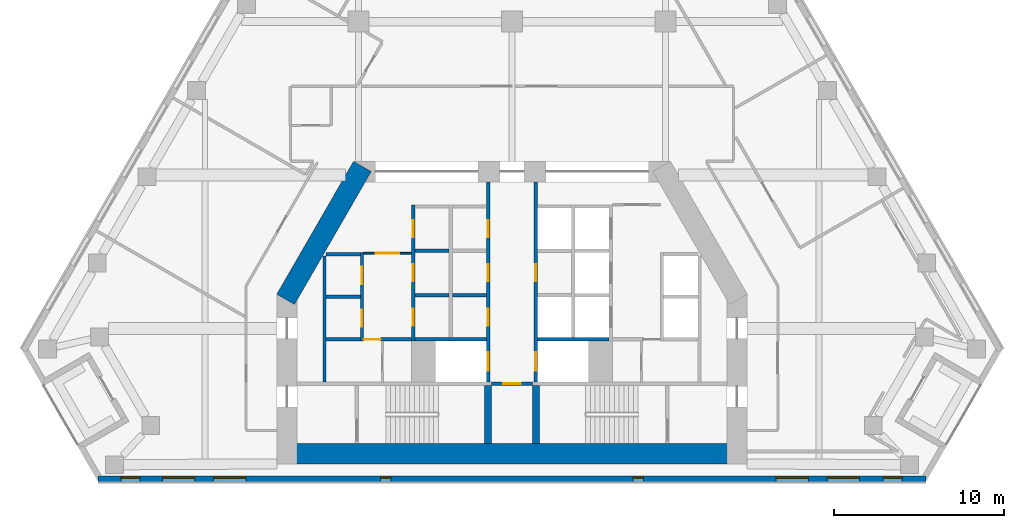
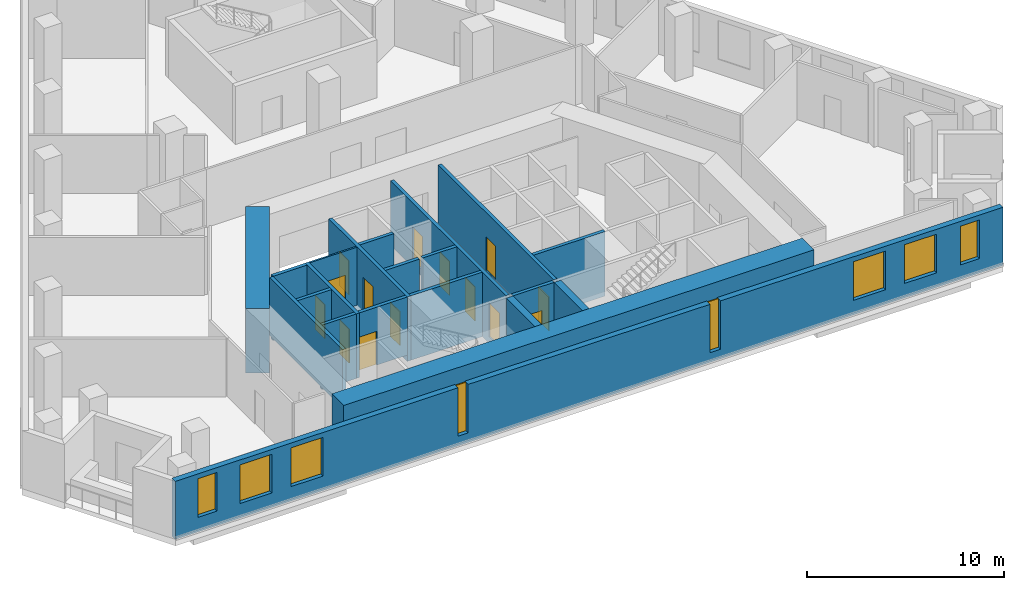
# One storey, part 3 of 8: 21 walls, 14 doors, 8 windows, 22 openings.
"""IFC4 building model written with IfcOpenShell, lengths in metres."""

from ifc_helpers import new_model, si_unit, direction, frame, frame_2d, origin, place, context, subcontext, project, spatial, rectangle, extrude, material, layer, layer_set, type_object, element, fill, save


model = new_model("IFC4")

# Units and contexts
model_context = context("Model", 3, precision=1e-05, world=origin(), true_north=direction((0.0, 1.0)))
body_context = subcontext(model_context, "Body", "Model", "MODEL_VIEW")
ifc_project = project(units=[si_unit("LENGTHUNIT", "METRE"), si_unit("AREAUNIT", "SQUARE_METRE"), si_unit("VOLUMEUNIT", "CUBIC_METRE"), si_unit("PLANEANGLEUNIT", "RADIAN"), si_unit("MASSUNIT", "GRAM", prefix="KILO")], contexts=[model_context])

# Site, building, storey
site_placement = place(None, origin())
site = spatial("IfcSite", under=ifc_project, at=site_placement, CompositionType="ELEMENT")
building_placement = place(site_placement, origin())
building = spatial("IfcBuilding", under=site, at=building_placement, Name="Fogline Exchange Tower", CompositionType="ELEMENT")
storey_placement = place(building_placement, frame((0.0, 0.0, 158.89990234375)))
storey = spatial("IfcBuildingStorey", under=building, at=storey_placement, Name="L35", CompositionType="ELEMENT", Elevation=158.89990234375)

# Wall, opening, door
ifc_material_1 = material(Name="Blockwork partition", Category="masonry")
ifc_layer_1 = layer(ifc_material_1, 0.10009765625)
ifc_layer_set_1 = layer_set([ifc_layer_1], Name="CW10")
wall_type_1 = type_object("IfcWallType", Name="CW10", PredefinedType="PARTITIONING", material=ifc_layer_set_1)
wall_1_placement = place(storey_placement, frame((-8.699951171875, 13.39990234375, 0.0), z_axis=(0.0, 0.0, 1.0), x_axis=(1.0, 0.0, 0.0)))
wall_1 = element("IfcWall", 1, at=wall_1_placement, inside=storey, type_object=wall_type_1, Name="Lift lobby partition", PredefinedType="PARTITIONING", context=body_context, shape_type="SweptSolid", body=[
    extrude(rectangle(XDim=2.800048828125, YDim=0.10009765625, at=frame_2d((1.39990234375, 0.0))), origin(), (0.0, 0.0, 1.0), 3.60009765625),
])
opening_1_placement = place(wall_1_placement, frame((0.699951171875, 0.0, 0.0)))
opening_1 = element("IfcOpeningElement", 2, at=opening_1_placement, cuts=wall_1, Name="Opening T11-C011", PredefinedType="OPENING", context=body_context, shape_type="SweptSolid", body=[
    extrude(rectangle(XDim=1.39990234375, YDim=2.10009765625, at=frame_2d((0.699951171875, 1.050048828125))), frame((0.0, 0.06005859375, 0.0), z_axis=(0.0, -1.0, 0.0), x_axis=(1.0, 0.0, 0.0)), (0.0, 0.0, 1.0), 0.1201171875),
])
ifc_material_2 = material(Name="Steel and timber fire door", Category="steel")
door_type_1 = type_object("IfcDoorType", Name="D-LB1", OperationType="DOUBLE_DOOR_SINGLE_SWING", PredefinedType="DOOR", material=ifc_material_2)
door_1_placement = place(opening_1_placement, frame((1.39990234375, 0.0, 0.0), z_axis=(0.0, 0.0, 1.0), x_axis=(-1.0, 0.0, 0.0)))
door_1 = element("IfcDoor", 3, at=door_1_placement, inside=storey, type_object=door_type_1, Name="Door to lift lobby", OperationType="DOUBLE_DOOR_SINGLE_SWING", OverallHeight=2.10009765625, OverallWidth=1.39990234375, PredefinedType="DOOR", context=body_context, shape_type="SweptSolid", body=[
    extrude(rectangle(XDim=1.39990234375, YDim=2.10009765625, at=frame_2d((0.699951171875, 1.050048828125))), frame((0.0, 0.02490234375, 0.0), z_axis=(0.0, -1.0, 0.0), x_axis=(1.0, 0.0, 0.0)), (0.0, 0.0, 1.0), 0.050048828125),
])
fill(opening_1, door_1)

# Walls
ifc_material_3 = material(Name="Concrete C40", Category="concrete")
ifc_layer_2 = layer(ifc_material_3, 0.199951171875)
ifc_layer_set_2 = layer_set([ifc_layer_2], Name="CW20")
wall_type_2 = type_object("IfcWallType", Name="CW20", PredefinedType="SOLIDWALL", material=ifc_layer_set_2)
wall_2_placement = place(storey_placement, frame((-11.0, 5.85009765625, 0.0), z_axis=(0.0, 0.0, 1.0), x_axis=(0.0, 1.0, 0.0)))
element("IfcWall", 4, at=wall_2_placement, inside=storey, type_object=wall_type_2, Name="Service room wall", PredefinedType="SOLIDWALL", context=body_context, shape_type="SweptSolid", body=[
    extrude(rectangle(XDim=7.39990234375, YDim=0.199951171875, at=frame_2d((3.699951171875, 0.0))), origin(), (0.0, 0.0, 1.0), 3.60009765625),
])
for number, where, z_axis, x_axis, name in (
    (5, (-10.89990234375, 10.85009765625, 0.0), (0.0, 0.0, 1.0), (1.0, 0.0, 0.0), "Service room wall"),
    (6, (-5.699951171875, 10.949951171875, 0.0), (0.0, 0.0, 1.0), (1.0, 0.0, 0.0), "Service room wall"),
    (7, (-5.699951171875, 13.550048828125, 0.0), (0.0, 0.0, 1.0), (1.0, 0.0, 0.0), "Service room wall"),
    (8, (-3.5, 10.949951171875, 0.0), (0.0, 0.0, 1.0), (1.0, 0.0, 0.0), "Service room wall"),
):
    element("IfcWall", number, at=place(storey_placement, frame(where, z_axis=z_axis, x_axis=x_axis)), inside=storey, type_object=wall_type_2, Name=name, PredefinedType="SOLIDWALL", context=body_context, shape_type="SweptSolid", body=[
        extrude(rectangle(XDim=2.0, YDim=0.199951171875, at=frame_2d((1.0, 0.0))), origin(), (0.0, 0.0, 1.0), 3.60009765625),
    ])

# Wall, opening, door
wall_3_placement = place(storey_placement, frame((-8.699951171875, 8.35009765625, 0.0), z_axis=(0.0, 0.0, 1.0), x_axis=(1.0, 0.0, 0.0)))
wall_3 = element("IfcWall", 9, at=wall_3_placement, inside=storey, type_object=wall_type_2, Name="WC wall", PredefinedType="SOLIDWALL", context=body_context, shape_type="SweptSolid", body=[
    extrude(rectangle(XDim=2.800048828125, YDim=0.199951171875, at=frame_2d((1.39990234375, 0.0))), origin(), (0.0, 0.0, 1.0), 3.60009765625),
])
opening_2_placement = place(wall_3_placement, origin())
opening_2 = element("IfcOpeningElement", 10, at=opening_2_placement, cuts=wall_3, Name="Opening T11-C012", PredefinedType="OPENING", context=body_context, shape_type="SweptSolid", body=[
    extrude(rectangle(XDim=1.0, YDim=2.10009765625, at=frame_2d((0.5, 1.050048828125))), frame((0.0, 0.10986328125, 0.0), z_axis=(0.0, -1.0, 0.0), x_axis=(1.0, 0.0, 0.0)), (0.0, 0.0, 1.0), 0.219970703125),
])
door_type_2 = type_object("IfcDoorType", Name="D-WC1", OperationType="SINGLE_SWING_LEFT", PredefinedType="DOOR", material=ifc_material_2)
door_2_placement = place(opening_2_placement, frame((1.0, 0.0, 0.0), z_axis=(0.0, 0.0, 1.0), x_axis=(-1.0, 0.0, 0.0)))
door_2 = element("IfcDoor", 11, at=door_2_placement, inside=storey, type_object=door_type_2, Name="Door to Men's WC", OperationType="SINGLE_SWING_LEFT", OverallHeight=2.10009765625, OverallWidth=1.0, PredefinedType="DOOR", context=body_context, shape_type="SweptSolid", body=[
    extrude(rectangle(XDim=1.0, YDim=2.10009765625, at=frame_2d((0.5, 1.050048828125))), frame((0.0, 0.02490234375, 0.0), z_axis=(0.0, -1.0, 0.0), x_axis=(1.0, 0.0, 0.0)), (0.0, 0.0, 1.0), 0.050048828125),
])
fill(opening_2, door_2)

ifc_layer_3 = layer(ifc_material_3, 0.199951171875)
ifc_layer_set_3 = layer_set([ifc_layer_3], Name="CW20R")
wall_type_3 = type_object("IfcWallType", Name="CW20R", PredefinedType="SOLIDWALL", material=ifc_layer_set_3)
wall_4_placement = place(storey_placement, frame((-1.199951171875, 5.75, -0.39990234375), z_axis=(0.0, 0.0, 1.0), x_axis=(1.0, 0.0, 0.0)))
wall_4 = element("IfcWall", 12, at=wall_4_placement, inside=storey, type_object=wall_type_3, Name="Stair enclosure wall", PredefinedType="SOLIDWALL", context=body_context, shape_type="SweptSolid", body=[
    extrude(rectangle(XDim=2.39990234375, YDim=0.199951171875, at=frame_2d((1.199951171875, 0.0))), origin(), (0.0, 0.0, 1.0), 4.0),
])
opening_3_placement = place(wall_4_placement, frame((0.699951171875, 0.0, 0.39990234375)))
opening_3 = element("IfcOpeningElement", 13, at=opening_3_placement, cuts=wall_4, Name="Opening T11-C010", PredefinedType="OPENING", context=body_context, shape_type="SweptSolid", body=[
    extrude(rectangle(XDim=1.0, YDim=2.10009765625, at=frame_2d((0.5, 1.050048828125))), frame((0.0, 0.10986328125, 0.0), z_axis=(0.0, -1.0, 0.0), x_axis=(1.0, 0.0, 0.0)), (0.0, 0.0, 1.0), 0.219970703125),
])
door_type_3 = type_object("IfcDoorType", Name="D-RM1", OperationType="SINGLE_SWING_LEFT", PredefinedType="DOOR", material=ifc_material_2)
door_3_placement = place(opening_3_placement, frame((1.0, 0.0, 0.0), z_axis=(0.0, 0.0, 1.0), x_axis=(-1.0, 0.0, 0.0)))
door_3 = element("IfcDoor", 14, at=door_3_placement, inside=storey, type_object=door_type_3, Name="Door to Library Store", OperationType="SINGLE_SWING_RIGHT", OverallHeight=2.10009765625, OverallWidth=1.0, PredefinedType="DOOR", context=body_context, shape_type="SweptSolid", body=[
    extrude(rectangle(XDim=1.0, YDim=2.10009765625, at=frame_2d((0.5, 1.050048828125))), frame((0.0, 0.02490234375, 0.0), z_axis=(0.0, -1.0, 0.0), x_axis=(1.0, 0.0, 0.0)), (0.0, 0.0, 1.0), 0.050048828125),
])
fill(opening_3, door_3)

# Wall, openings, doors
ifc_layer_4 = layer(ifc_material_3, 0.199951171875)
ifc_layer_set_4 = layer_set([ifc_layer_4], Name="CW20S")
wall_type_4 = type_object("IfcWallType", Name="CW20S", PredefinedType="SOLIDWALL", material=ifc_layer_set_4)
wall_5_placement = place(storey_placement, frame((-8.800048828125, 8.25, -0.39990234375), z_axis=(0.0, 0.0, 1.0), x_axis=(0.0, 1.0, 0.0)))
wall_5 = element("IfcWall", 15, at=wall_5_placement, inside=storey, type_object=wall_type_4, Name="Lift shaft wall", PredefinedType="SOLIDWALL", context=body_context, shape_type="SweptSolid", body=[
    extrude(rectangle(XDim=5.199951171875, YDim=0.199951171875, at=frame_2d((2.60009765625, 0.0))), origin(), (0.0, 0.0, 1.0), 4.0),
])
opening_4_placement = place(wall_5_placement, frame((0.85009765625, 0.0, 0.39990234375)))
opening_4 = element("IfcOpeningElement", 16, at=opening_4_placement, cuts=wall_5, Name="Opening T11-C001", PredefinedType="OPENING", context=body_context, shape_type="SweptSolid", body=[
    extrude(rectangle(XDim=1.0, YDim=2.10009765625, at=frame_2d((0.5, 1.050048828125))), frame((0.0, 0.10986328125, 0.0), z_axis=(0.0, -1.0, 0.0), x_axis=(1.0, 0.0, 0.0)), (0.0, 0.0, 1.0), 0.219970703125),
])
opening_5_placement = place(wall_5_placement, frame((3.35009765625, 0.0, 0.39990234375)))
opening_5 = element("IfcOpeningElement", 17, at=opening_5_placement, cuts=wall_5, Name="Opening T11-C002", PredefinedType="OPENING", context=body_context, shape_type="SweptSolid", body=[
    extrude(rectangle(XDim=1.0, YDim=2.10009765625, at=frame_2d((0.5, 1.050048828125))), frame((0.0, 0.10986328125, 0.0), z_axis=(0.0, -1.0, 0.0), x_axis=(1.0, 0.0, 0.0)), (0.0, 0.0, 1.0), 0.219970703125),
])
door_4_placement = place(opening_4_placement, origin())
door_4 = element("IfcDoor", 18, at=door_4_placement, inside=storey, type_object=door_type_3, Name="Door to Riser Room", OperationType="SINGLE_SWING_RIGHT", OverallHeight=2.10009765625, OverallWidth=1.0, PredefinedType="DOOR", context=body_context, shape_type="SweptSolid", body=[
    extrude(rectangle(XDim=1.0, YDim=2.10009765625, at=frame_2d((0.5, 1.050048828125))), frame((0.0, 0.02490234375, 0.0), z_axis=(0.0, -1.0, 0.0), x_axis=(1.0, 0.0, 0.0)), (0.0, 0.0, 1.0), 0.050048828125),
])
fill(opening_4, door_4)
door_5_placement = place(opening_5_placement, origin())
door_5 = element("IfcDoor", 19, at=door_5_placement, inside=storey, type_object=door_type_3, Name="Door to Plant Room", OperationType="SINGLE_SWING_RIGHT", OverallHeight=2.10009765625, OverallWidth=1.0, PredefinedType="DOOR", context=body_context, shape_type="SweptSolid", body=[
    extrude(rectangle(XDim=1.0, YDim=2.10009765625, at=frame_2d((0.5, 1.050048828125))), frame((0.0, 0.02490234375, 0.0), z_axis=(0.0, -1.0, 0.0), x_axis=(1.0, 0.0, 0.0)), (0.0, 0.0, 1.0), 0.050048828125),
])
fill(opening_5, door_5)

wall_6_placement = place(storey_placement, frame((-5.800048828125, 8.25, -0.39990234375), z_axis=(0.0, 0.0, 1.0), x_axis=(0.0, 1.0, 0.0)))
wall_6 = element("IfcWall", 20, at=wall_6_placement, inside=storey, type_object=wall_type_4, Name="Lift shaft wall", PredefinedType="SOLIDWALL", context=body_context, shape_type="SweptSolid", body=[
    extrude(rectangle(XDim=8.0, YDim=0.199951171875, at=frame_2d((4.0, 0.0))), origin(), (0.0, 0.0, 1.0), 4.0),
])
opening_6_placement = place(wall_6_placement, frame((0.89990234375, 0.0, 0.39990234375)))
opening_6 = element("IfcOpeningElement", 21, at=opening_6_placement, cuts=wall_6, Name="Opening T11-C003", PredefinedType="OPENING", context=body_context, shape_type="SweptSolid", body=[
    extrude(rectangle(XDim=1.0, YDim=2.10009765625, at=frame_2d((0.5, 1.050048828125))), frame((0.0, 0.10986328125, 0.0), z_axis=(0.0, -1.0, 0.0), x_axis=(1.0, 0.0, 0.0)), (0.0, 0.0, 1.0), 0.219970703125),
])
opening_7_placement = place(wall_6_placement, frame((3.5, 0.0, 0.39990234375)))
opening_7 = element("IfcOpeningElement", 22, at=opening_7_placement, cuts=wall_6, Name="Opening T11-C004", PredefinedType="OPENING", context=body_context, shape_type="SweptSolid", body=[
    extrude(rectangle(XDim=1.0, YDim=2.10009765625, at=frame_2d((0.5, 1.050048828125))), frame((0.0, 0.10986328125, 0.0), z_axis=(0.0, -1.0, 0.0), x_axis=(1.0, 0.0, 0.0)), (0.0, 0.0, 1.0), 0.219970703125),
])
opening_8_placement = place(wall_6_placement, frame((6.10009765625, 0.0, 0.39990234375)))
opening_8 = element("IfcOpeningElement", 23, at=opening_8_placement, cuts=wall_6, Name="Opening T11-C005", PredefinedType="OPENING", context=body_context, shape_type="SweptSolid", body=[
    extrude(rectangle(XDim=1.0, YDim=2.10009765625, at=frame_2d((0.5, 1.050048828125))), frame((0.0, 0.10986328125, 0.0), z_axis=(0.0, -1.0, 0.0), x_axis=(1.0, 0.0, 0.0)), (0.0, 0.0, 1.0), 0.219970703125),
])
door_6_placement = place(opening_6_placement, frame((1.0, 0.0, 0.0), z_axis=(0.0, 0.0, 1.0), x_axis=(-1.0, 0.0, 0.0)))
door_6 = element("IfcDoor", 24, at=door_6_placement, inside=storey, type_object=door_type_3, Name="Door to Cable Store", OperationType="SINGLE_SWING_LEFT", OverallHeight=2.10009765625, OverallWidth=1.0, PredefinedType="DOOR", context=body_context, shape_type="SweptSolid", body=[
    extrude(rectangle(XDim=1.0, YDim=2.10009765625, at=frame_2d((0.5, 1.050048828125))), frame((0.0, 0.02490234375, 0.0), z_axis=(0.0, -1.0, 0.0), x_axis=(1.0, 0.0, 0.0)), (0.0, 0.0, 1.0), 0.050048828125),
])
fill(opening_6, door_6)
door_7_placement = place(opening_7_placement, frame((1.0, 0.0, 0.0), z_axis=(0.0, 0.0, 1.0), x_axis=(-1.0, 0.0, 0.0)))
door_7 = element("IfcDoor", 25, at=door_7_placement, inside=storey, type_object=door_type_3, Name="Door to Server Room", OperationType="SINGLE_SWING_RIGHT", OverallHeight=2.10009765625, OverallWidth=1.0, PredefinedType="DOOR", context=body_context, shape_type="SweptSolid", body=[
    extrude(rectangle(XDim=1.0, YDim=2.10009765625, at=frame_2d((0.5, 1.050048828125))), frame((0.0, 0.02490234375, 0.0), z_axis=(0.0, -1.0, 0.0), x_axis=(1.0, 0.0, 0.0)), (0.0, 0.0, 1.0), 0.050048828125),
])
fill(opening_7, door_7)
door_8_placement = place(opening_8_placement, frame((1.0, 0.0, 0.0), z_axis=(0.0, 0.0, 1.0), x_axis=(-1.0, 0.0, 0.0)))
door_8 = element("IfcDoor", 26, at=door_8_placement, inside=storey, type_object=door_type_3, Name="Door to Archive Store", OperationType="SINGLE_SWING_RIGHT", OverallHeight=2.10009765625, OverallWidth=1.0, PredefinedType="DOOR", context=body_context, shape_type="SweptSolid", body=[
    extrude(rectangle(XDim=1.0, YDim=2.10009765625, at=frame_2d((0.5, 1.050048828125))), frame((0.0, 0.02490234375, 0.0), z_axis=(0.0, -1.0, 0.0), x_axis=(1.0, 0.0, 0.0)), (0.0, 0.0, 1.0), 0.050048828125),
])
fill(opening_8, door_8)

wall_7_placement = place(storey_placement, frame((-1.39990234375, 5.85009765625, -0.39990234375), z_axis=(0.0, 0.0, 1.0), x_axis=(0.0, 1.0, 0.0)))
wall_7 = element("IfcWall", 27, at=wall_7_placement, inside=storey, type_object=wall_type_4, Name="Lift lobby wall", PredefinedType="SOLIDWALL", context=body_context, shape_type="SweptSolid", body=[
    extrude(rectangle(XDim=11.75, YDim=0.199951171875, at=frame_2d((5.875, 0.0))), origin(), (0.0, 0.0, 1.0), 4.0),
])
opening_9_placement = place(wall_7_placement, frame((0.64990234375, 0.0, 0.39990234375)))
opening_9 = element("IfcOpeningElement", 28, at=opening_9_placement, cuts=wall_7, Name="Opening T11-LD01", PredefinedType="OPENING", context=body_context, shape_type="SweptSolid", body=[
    extrude(rectangle(XDim=1.10009765625, YDim=2.10009765625, at=frame_2d((0.550048828125, 1.050048828125))), frame((0.0, 0.10986328125, 0.0), z_axis=(0.0, -1.0, 0.0), x_axis=(1.0, 0.0, 0.0)), (0.0, 0.0, 1.0), 0.219970703125),
])
opening_10_placement = place(wall_7_placement, frame((3.300048828125, 0.0, 0.39990234375)))
opening_10 = element("IfcOpeningElement", 29, at=opening_10_placement, cuts=wall_7, Name="Opening T11-C006", PredefinedType="OPENING", context=body_context, shape_type="SweptSolid", body=[
    extrude(rectangle(XDim=1.0, YDim=2.10009765625, at=frame_2d((0.5, 1.050048828125))), frame((0.0, 0.10986328125, 0.0), z_axis=(0.0, -1.0, 0.0), x_axis=(1.0, 0.0, 0.0)), (0.0, 0.0, 1.0), 0.219970703125),
])
opening_11_placement = place(wall_7_placement, frame((5.89990234375, 0.0, 0.39990234375)))
opening_11 = element("IfcOpeningElement", 30, at=opening_11_placement, cuts=wall_7, Name="Opening T11-C007", PredefinedType="OPENING", context=body_context, shape_type="SweptSolid", body=[
    extrude(rectangle(XDim=1.0, YDim=2.10009765625, at=frame_2d((0.5, 1.050048828125))), frame((0.0, 0.10986328125, 0.0), z_axis=(0.0, -1.0, 0.0), x_axis=(1.0, 0.0, 0.0)), (0.0, 0.0, 1.0), 0.219970703125),
])
opening_12_placement = place(wall_7_placement, frame((8.5, 0.0, 0.39990234375)))
opening_12 = element("IfcOpeningElement", 31, at=opening_12_placement, cuts=wall_7, Name="Opening T11-C008", PredefinedType="OPENING", context=body_context, shape_type="SweptSolid", body=[
    extrude(rectangle(XDim=1.0, YDim=2.10009765625, at=frame_2d((0.5, 1.050048828125))), frame((0.0, 0.10986328125, 0.0), z_axis=(0.0, -1.0, 0.0), x_axis=(1.0, 0.0, 0.0)), (0.0, 0.0, 1.0), 0.219970703125),
])
door_9_placement = place(opening_10_placement, origin())
door_9 = element("IfcDoor", 32, at=door_9_placement, inside=storey, type_object=door_type_3, Name="Door to Library Store", OperationType="SINGLE_SWING_LEFT", OverallHeight=2.10009765625, OverallWidth=1.0, PredefinedType="DOOR", context=body_context, shape_type="SweptSolid", body=[
    extrude(rectangle(XDim=1.0, YDim=2.10009765625, at=frame_2d((0.5, 1.050048828125))), frame((0.0, 0.02490234375, 0.0), z_axis=(0.0, -1.0, 0.0), x_axis=(1.0, 0.0, 0.0)), (0.0, 0.0, 1.0), 0.050048828125),
])
fill(opening_10, door_9)
door_10_placement = place(opening_11_placement, origin())
door_10 = element("IfcDoor", 33, at=door_10_placement, inside=storey, type_object=door_type_3, Name="Door to Stationery Store", OperationType="SINGLE_SWING_LEFT", OverallHeight=2.10009765625, OverallWidth=1.0, PredefinedType="DOOR", context=body_context, shape_type="SweptSolid", body=[
    extrude(rectangle(XDim=1.0, YDim=2.10009765625, at=frame_2d((0.5, 1.050048828125))), frame((0.0, 0.02490234375, 0.0), z_axis=(0.0, -1.0, 0.0), x_axis=(1.0, 0.0, 0.0)), (0.0, 0.0, 1.0), 0.050048828125),
])
fill(opening_11, door_10)
door_11_placement = place(opening_12_placement, origin())
door_11 = element("IfcDoor", 34, at=door_11_placement, inside=storey, type_object=door_type_3, Name="Door to Records Store", OperationType="SINGLE_SWING_LEFT", OverallHeight=2.10009765625, OverallWidth=1.0, PredefinedType="DOOR", context=body_context, shape_type="SweptSolid", body=[
    extrude(rectangle(XDim=1.0, YDim=2.10009765625, at=frame_2d((0.5, 1.050048828125))), frame((0.0, 0.02490234375, 0.0), z_axis=(0.0, -1.0, 0.0), x_axis=(1.0, 0.0, 0.0)), (0.0, 0.0, 1.0), 0.050048828125),
])
fill(opening_12, door_11)
door_type_4 = type_object("IfcDoorType", Name="LD2", OperationType="SLIDING_TO_RIGHT", PredefinedType="DOOR", material=ifc_material_2)
door_12_placement = place(opening_9_placement, origin())
door_12 = element("IfcDoor", 35, at=door_12_placement, inside=storey, type_object=door_type_4, Name="Landing door FF1", OperationType="SLIDING_TO_RIGHT", OverallHeight=2.10009765625, OverallWidth=1.10009765625, PredefinedType="DOOR", context=body_context, shape_type="SweptSolid", body=[
    extrude(rectangle(XDim=1.10009765625, YDim=2.10009765625, at=frame_2d((0.550048828125, 1.050048828125))), frame((0.0, 0.02490234375, 0.0), z_axis=(0.0, -1.0, 0.0), x_axis=(1.0, 0.0, 0.0)), (0.0, 0.0, 1.0), 0.050048828125),
])
fill(opening_9, door_12)

wall_8_placement = place(storey_placement, frame((1.39990234375, 5.85009765625, -0.39990234375), z_axis=(0.0, 0.0, 1.0), x_axis=(0.0, 1.0, 0.0)))
wall_8 = element("IfcWall", 36, at=wall_8_placement, inside=storey, type_object=wall_type_4, Name="Lift lobby wall", PredefinedType="SOLIDWALL", context=body_context, shape_type="SweptSolid", body=[
    extrude(rectangle(XDim=11.75, YDim=0.199951171875, at=frame_2d((5.875, 0.0))), origin(), (0.0, 0.0, 1.0), 4.0),
])
opening_13_placement = place(wall_8_placement, frame((0.64990234375, 0.0, 0.39990234375)))
opening_13 = element("IfcOpeningElement", 37, at=opening_13_placement, cuts=wall_8, Name="Opening T11-LD05", PredefinedType="OPENING", context=body_context, shape_type="SweptSolid", body=[
    extrude(rectangle(XDim=1.10009765625, YDim=2.10009765625, at=frame_2d((0.550048828125, 1.050048828125))), frame((0.0, 0.10986328125, 0.0), z_axis=(0.0, -1.0, 0.0), x_axis=(1.0, 0.0, 0.0)), (0.0, 0.0, 1.0), 0.219970703125),
])
opening_14_placement = place(wall_8_placement, frame((5.89990234375, 0.0, 0.39990234375)))
opening_14 = element("IfcOpeningElement", 38, at=opening_14_placement, cuts=wall_8, Name="Opening T11-C009", PredefinedType="OPENING", context=body_context, shape_type="SweptSolid", body=[
    extrude(rectangle(XDim=1.0, YDim=2.10009765625, at=frame_2d((0.5, 1.050048828125))), frame((0.0, 0.10986328125, 0.0), z_axis=(0.0, -1.0, 0.0), x_axis=(1.0, 0.0, 0.0)), (0.0, 0.0, 1.0), 0.219970703125),
])
door_13_placement = place(opening_14_placement, frame((1.0, 0.0, 0.0), z_axis=(0.0, 0.0, 1.0), x_axis=(-1.0, 0.0, 0.0)))
door_13 = element("IfcDoor", 39, at=door_13_placement, inside=storey, type_object=door_type_3, Name="Door to Server Room", OperationType="SINGLE_SWING_RIGHT", OverallHeight=2.10009765625, OverallWidth=1.0, PredefinedType="DOOR", context=body_context, shape_type="SweptSolid", body=[
    extrude(rectangle(XDim=1.0, YDim=2.10009765625, at=frame_2d((0.5, 1.050048828125))), frame((0.0, 0.02490234375, 0.0), z_axis=(0.0, -1.0, 0.0), x_axis=(1.0, 0.0, 0.0)), (0.0, 0.0, 1.0), 0.050048828125),
])
fill(opening_14, door_13)
door_14_placement = place(opening_13_placement, origin())
door_14 = element("IfcDoor", 40, at=door_14_placement, inside=storey, type_object=door_type_4, Name="Landing door FF2", OperationType="SLIDING_TO_RIGHT", OverallHeight=2.10009765625, OverallWidth=1.10009765625, PredefinedType="DOOR", context=body_context, shape_type="SweptSolid", body=[
    extrude(rectangle(XDim=1.10009765625, YDim=2.10009765625, at=frame_2d((0.550048828125, 1.050048828125))), frame((0.0, 0.02490234375, 0.0), z_axis=(0.0, -1.0, 0.0), x_axis=(1.0, 0.0, 0.0)), (0.0, 0.0, 1.0), 0.050048828125),
])
fill(opening_13, door_14)

# Walls
wall_9_placement = place(storey_placement, frame((-10.89990234375, 8.35009765625, -0.39990234375), z_axis=(0.0, 0.0, 1.0), x_axis=(1.0, 0.0, 0.0)))
element("IfcWall", 41, at=wall_9_placement, inside=storey, type_object=wall_type_4, Name="Lift shaft wall", PredefinedType="SOLIDWALL", context=body_context, shape_type="SweptSolid", body=[
    extrude(rectangle(XDim=2.0, YDim=0.199951171875, at=frame_2d((1.0, 0.0))), origin(), (0.0, 0.0, 1.0), 4.0),
])
for number, where, z_axis, x_axis, name in (
    (42, (-5.699951171875, 8.35009765625, -0.39990234375), (0.0, 0.0, 1.0), (1.0, 0.0, 0.0), "Lift shaft wall"),
    (43, (1.5, 8.35009765625, -0.39990234375), (0.0, 0.0, 1.0), (1.0, 0.0, 0.0), "Lift shaft wall"),
):
    element("IfcWall", number, at=place(storey_placement, frame(where, z_axis=z_axis, x_axis=x_axis)), inside=storey, type_object=wall_type_4, Name=name, PredefinedType="SOLIDWALL", context=body_context, shape_type="SweptSolid", body=[
        extrude(rectangle(XDim=4.199951171875, YDim=0.199951171875, at=frame_2d((2.10009765625, 0.0))), origin(), (0.0, 0.0, 1.0), 4.0),
    ])
wall_10_placement = place(storey_placement, frame((-10.89990234375, 13.35009765625, -0.39990234375), z_axis=(0.0, 0.0, 1.0), x_axis=(1.0, 0.0, 0.0)))
element("IfcWall", 44, at=wall_10_placement, inside=storey, type_object=wall_type_4, Name="Lift shaft wall", PredefinedType="SOLIDWALL", context=body_context, shape_type="SweptSolid", body=[
    extrude(rectangle(XDim=2.0, YDim=0.199951171875, at=frame_2d((1.0, 0.0))), origin(), (0.0, 0.0, 1.0), 4.0),
])
ifc_layer_5 = layer(ifc_material_3, 0.39990234375)
ifc_layer_set_5 = layer_set([ifc_layer_5], Name="CW40R")
wall_type_5 = type_object("IfcWallType", Name="CW40R", PredefinedType="SOLIDWALL", material=ifc_layer_set_5)
for number, where, z_axis, x_axis, name in (
    (45, (-1.39990234375, 2.25, -0.39990234375), (0.0, 0.0, 1.0), (0.0, 1.0, 0.0), "Stair and lift shaft wall"),
    (46, (1.39990234375, 2.25, -0.39990234375), (0.0, 0.0, 1.0), (0.0, 1.0, 0.0), "Stair and lift shaft wall"),
):
    element("IfcWall", number, at=place(storey_placement, frame(where, z_axis=z_axis, x_axis=x_axis)), inside=storey, type_object=wall_type_5, Name=name, PredefinedType="SOLIDWALL", context=body_context, shape_type="SweptSolid", body=[
        extrude(rectangle(XDim=3.39990234375, YDim=0.39990234375, at=frame_2d((1.699951171875, 0.0))), origin(), (0.0, 0.0, 1.0), 4.0),
    ])

# Wall, openings, windows
ifc_material_4 = material(Name="Brick masonry", Category="masonry")
ifc_layer_6 = layer(ifc_material_4, 0.340087890625)
ifc_layer_set_6 = layer_set([ifc_layer_6], Name="FW1")
wall_type_6 = type_object("IfcWallType", Name="FW1", PredefinedType="SOLIDWALL", material=ifc_layer_set_6)
wall_11_placement = place(storey_placement, frame((-24.276123046875, 0.169921875, 0.0), z_axis=(0.0, 0.0, 1.0), x_axis=(1.0, 0.0, 0.0)))
wall_11 = element("IfcWall", 47, at=wall_11_placement, inside=storey, type_object=wall_type_6, Name="Brick wall L35 S", PredefinedType="SOLIDWALL", context=body_context, shape_type="SweptSolid", body=[
    extrude(rectangle(XDim=48.55224609375, YDim=0.340087890625, at=frame_2d((24.276123046875, 0.0))), origin(), (0.0, 0.0, 1.0), 3.60009765625),
])
opening_15_placement = place(wall_11_placement, frame((3.776123046875, 0.0, 0.89990234375)))
opening_15 = element("IfcOpeningElement", 48, at=opening_15_placement, cuts=wall_11, Name="Opening W1", PredefinedType="OPENING", context=body_context, shape_type="SweptSolid", body=[
    extrude(rectangle(XDim=1.885009765625, YDim=2.39990234375, at=frame_2d((0.9423828125, 1.199951171875))), frame((0.0, 0.18017578125, 0.0), z_axis=(0.0, -1.0, 0.0), x_axis=(1.0, 0.0, 0.0)), (0.0, 0.0, 1.0), 0.360107421875),
])
opening_16_placement = place(wall_11_placement, frame((6.776123046875, 0.0, 0.89990234375)))
opening_16 = element("IfcOpeningElement", 49, at=opening_16_placement, cuts=wall_11, Name="Opening W1", PredefinedType="OPENING", context=body_context, shape_type="SweptSolid", body=[
    extrude(rectangle(XDim=1.885009765625, YDim=2.39990234375, at=frame_2d((0.9423828125, 1.199951171875))), frame((0.0, 0.18017578125, 0.0), z_axis=(0.0, -1.0, 0.0), x_axis=(1.0, 0.0, 0.0)), (0.0, 0.0, 1.0), 0.360107421875),
])
opening_17_placement = place(wall_11_placement, frame((39.776123046875, 0.0, 0.89990234375)))
opening_17 = element("IfcOpeningElement", 50, at=opening_17_placement, cuts=wall_11, Name="Opening W1", PredefinedType="OPENING", context=body_context, shape_type="SweptSolid", body=[
    extrude(rectangle(XDim=1.885009765625, YDim=2.39990234375, at=frame_2d((0.9423828125, 1.199951171875))), frame((0.0, 0.18017578125, 0.0), z_axis=(0.0, -1.0, 0.0), x_axis=(1.0, 0.0, 0.0)), (0.0, 0.0, 1.0), 0.360107421875),
])
opening_18_placement = place(wall_11_placement, frame((42.776123046875, 0.0, 0.89990234375)))
opening_18 = element("IfcOpeningElement", 51, at=opening_18_placement, cuts=wall_11, Name="Opening W1", PredefinedType="OPENING", context=body_context, shape_type="SweptSolid", body=[
    extrude(rectangle(XDim=1.885009765625, YDim=2.39990234375, at=frame_2d((0.9423828125, 1.199951171875))), frame((0.0, 0.18017578125, 0.0), z_axis=(0.0, -1.0, 0.0), x_axis=(1.0, 0.0, 0.0)), (0.0, 0.0, 1.0), 0.360107421875),
])
opening_19_placement = place(wall_11_placement, frame((1.33056640625, 0.0, 0.89990234375)))
opening_19 = element("IfcOpeningElement", 52, at=opening_19_placement, cuts=wall_11, Name="Opening W4", PredefinedType="OPENING", context=body_context, shape_type="SweptSolid", body=[
    extrude(rectangle(XDim=1.114990234375, YDim=2.39990234375, at=frame_2d((0.5576171875, 1.199951171875))), frame((0.0, 0.18017578125, 0.0), z_axis=(0.0, -1.0, 0.0), x_axis=(1.0, 0.0, 0.0)), (0.0, 0.0, 1.0), 0.360107421875),
])
opening_20_placement = place(wall_11_placement, frame((46.049072265625, 0.0, 0.89990234375)))
opening_20 = element("IfcOpeningElement", 53, at=opening_20_placement, cuts=wall_11, Name="Opening W4", PredefinedType="OPENING", context=body_context, shape_type="SweptSolid", body=[
    extrude(rectangle(XDim=1.114990234375, YDim=2.39990234375, at=frame_2d((0.5576171875, 1.199951171875))), frame((0.0, 0.18017578125, 0.0), z_axis=(0.0, -1.0, 0.0), x_axis=(1.0, 0.0, 0.0)), (0.0, 0.0, 1.0), 0.360107421875),
])
opening_21_placement = place(wall_11_placement, frame((16.576171875, 0.0, 0.60009765625)))
opening_21 = element("IfcOpeningElement", 54, at=opening_21_placement, cuts=wall_11, Name="Opening W5", PredefinedType="OPENING", context=body_context, shape_type="SweptSolid", body=[
    extrude(rectangle(XDim=0.60009765625, YDim=3.0, at=frame_2d((0.300048828125, 1.5))), frame((0.0, 0.18017578125, 0.0), z_axis=(0.0, -1.0, 0.0), x_axis=(1.0, 0.0, 0.0)), (0.0, 0.0, 1.0), 0.360107421875),
])
opening_22_placement = place(wall_11_placement, frame((31.3759765625, 0.0, 0.60009765625)))
opening_22 = element("IfcOpeningElement", 55, at=opening_22_placement, cuts=wall_11, Name="Opening W5", PredefinedType="OPENING", context=body_context, shape_type="SweptSolid", body=[
    extrude(rectangle(XDim=0.60009765625, YDim=3.0, at=frame_2d((0.300048828125, 1.5))), frame((0.0, 0.18017578125, 0.0), z_axis=(0.0, -1.0, 0.0), x_axis=(1.0, 0.0, 0.0)), (0.0, 0.0, 1.0), 0.360107421875),
])
ifc_material_5 = material(Name="Aluminium and glass", Category="aluminium")
window_type_1 = type_object("IfcWindowType", Name="W1", PartitioningType="SINGLE_PANEL", PredefinedType="WINDOW", material=ifc_material_5)
window_1_placement = place(opening_15_placement, origin())
window_1 = element("IfcWindow", 56, at=window_1_placement, inside=storey, type_object=window_type_1, Name="W1 W1", OverallHeight=2.39990234375, OverallWidth=1.885009765625, PartitioningType="SINGLE_PANEL", PredefinedType="WINDOW", context=body_context, shape_type="SweptSolid", body=[
    extrude(rectangle(XDim=1.885009765625, YDim=2.39990234375, at=frame_2d((0.9423828125, 1.199951171875))), frame((0.0, 0.110107421875, 0.0), z_axis=(0.0, -1.0, 0.0), x_axis=(1.0, 0.0, 0.0)), (0.0, 0.0, 1.0), 0.06005859375),
])
fill(opening_15, window_1)
window_2_placement = place(opening_16_placement, origin())
window_2 = element("IfcWindow", 57, at=window_2_placement, inside=storey, type_object=window_type_1, Name="W1 W1", OverallHeight=2.39990234375, OverallWidth=1.885009765625, PartitioningType="SINGLE_PANEL", PredefinedType="WINDOW", context=body_context, shape_type="SweptSolid", body=[
    extrude(rectangle(XDim=1.885009765625, YDim=2.39990234375, at=frame_2d((0.9423828125, 1.199951171875))), frame((0.0, 0.110107421875, 0.0), z_axis=(0.0, -1.0, 0.0), x_axis=(1.0, 0.0, 0.0)), (0.0, 0.0, 1.0), 0.06005859375),
])
fill(opening_16, window_2)
window_3_placement = place(opening_17_placement, origin())
window_3 = element("IfcWindow", 58, at=window_3_placement, inside=storey, type_object=window_type_1, Name="W1 W1", OverallHeight=2.39990234375, OverallWidth=1.885009765625, PartitioningType="SINGLE_PANEL", PredefinedType="WINDOW", context=body_context, shape_type="SweptSolid", body=[
    extrude(rectangle(XDim=1.885009765625, YDim=2.39990234375, at=frame_2d((0.9423828125, 1.199951171875))), frame((0.0, 0.110107421875, 0.0), z_axis=(0.0, -1.0, 0.0), x_axis=(1.0, 0.0, 0.0)), (0.0, 0.0, 1.0), 0.06005859375),
])
fill(opening_17, window_3)
window_4_placement = place(opening_18_placement, origin())
window_4 = element("IfcWindow", 59, at=window_4_placement, inside=storey, type_object=window_type_1, Name="W1 W1", OverallHeight=2.39990234375, OverallWidth=1.885009765625, PartitioningType="SINGLE_PANEL", PredefinedType="WINDOW", context=body_context, shape_type="SweptSolid", body=[
    extrude(rectangle(XDim=1.885009765625, YDim=2.39990234375, at=frame_2d((0.9423828125, 1.199951171875))), frame((0.0, 0.110107421875, 0.0), z_axis=(0.0, -1.0, 0.0), x_axis=(1.0, 0.0, 0.0)), (0.0, 0.0, 1.0), 0.06005859375),
])
fill(opening_18, window_4)
window_type_2 = type_object("IfcWindowType", Name="W4", PartitioningType="SINGLE_PANEL", PredefinedType="WINDOW", material=ifc_material_5)
window_5_placement = place(opening_19_placement, origin())
window_5 = element("IfcWindow", 60, at=window_5_placement, inside=storey, type_object=window_type_2, Name="W4 W4", OverallHeight=2.39990234375, OverallWidth=1.114990234375, PartitioningType="SINGLE_PANEL", PredefinedType="WINDOW", context=body_context, shape_type="SweptSolid", body=[
    extrude(rectangle(XDim=1.114990234375, YDim=2.39990234375, at=frame_2d((0.5576171875, 1.199951171875))), frame((0.0, 0.110107421875, 0.0), z_axis=(0.0, -1.0, 0.0), x_axis=(1.0, 0.0, 0.0)), (0.0, 0.0, 1.0), 0.06005859375),
])
fill(opening_19, window_5)
window_6_placement = place(opening_20_placement, origin())
window_6 = element("IfcWindow", 61, at=window_6_placement, inside=storey, type_object=window_type_2, Name="W4 W4", OverallHeight=2.39990234375, OverallWidth=1.114990234375, PartitioningType="SINGLE_PANEL", PredefinedType="WINDOW", context=body_context, shape_type="SweptSolid", body=[
    extrude(rectangle(XDim=1.114990234375, YDim=2.39990234375, at=frame_2d((0.5576171875, 1.199951171875))), frame((0.0, 0.110107421875, 0.0), z_axis=(0.0, -1.0, 0.0), x_axis=(1.0, 0.0, 0.0)), (0.0, 0.0, 1.0), 0.06005859375),
])
fill(opening_20, window_6)
window_type_3 = type_object("IfcWindowType", Name="W5", PartitioningType="SINGLE_PANEL", PredefinedType="WINDOW", material=ifc_material_5)
window_7_placement = place(opening_21_placement, origin())
window_7 = element("IfcWindow", 62, at=window_7_placement, inside=storey, type_object=window_type_3, Name="W5 W5", OverallHeight=3.0, OverallWidth=0.60009765625, PartitioningType="SINGLE_PANEL", PredefinedType="WINDOW", context=body_context, shape_type="SweptSolid", body=[
    extrude(rectangle(XDim=0.60009765625, YDim=3.0, at=frame_2d((0.300048828125, 1.5))), frame((0.0, 0.110107421875, 0.0), z_axis=(0.0, -1.0, 0.0), x_axis=(1.0, 0.0, 0.0)), (0.0, 0.0, 1.0), 0.06005859375),
])
fill(opening_21, window_7)
window_8_placement = place(opening_22_placement, origin())
window_8 = element("IfcWindow", 63, at=window_8_placement, inside=storey, type_object=window_type_3, Name="W5 W5", OverallHeight=3.0, OverallWidth=0.60009765625, PartitioningType="SINGLE_PANEL", PredefinedType="WINDOW", context=body_context, shape_type="SweptSolid", body=[
    extrude(rectangle(XDim=0.60009765625, YDim=3.0, at=frame_2d((0.300048828125, 1.5))), frame((0.0, 0.110107421875, 0.0), z_axis=(0.0, -1.0, 0.0), x_axis=(1.0, 0.0, 0.0)), (0.0, 0.0, 1.0), 0.06005859375),
])
fill(opening_22, window_8)

# Walls
ifc_material_6 = material(Name="Concrete C60", Category="concrete")
ifc_layer_7 = layer(ifc_material_6, 1.199951171875)
ifc_layer_set_7 = layer_set([ifc_layer_7], Name="SW02")
wall_type_7 = type_object("IfcWallType", Name="SW02", PredefinedType="SHEAR", material=ifc_layer_set_7)
wall_12_placement = place(storey_placement, frame((-13.800048828125, 1.64990234375, 0.0), z_axis=(0.0, 0.0, 1.0), x_axis=(1.0, 0.0, 0.0)))
element("IfcWall", 64, at=wall_12_placement, inside=storey, type_object=wall_type_7, Name="L35-W901", PredefinedType="SHEAR", context=body_context, shape_type="SweptSolid", body=[
    extrude(rectangle(XDim=27.60009765625, YDim=1.199951171875, at=frame_2d((13.800048828125, 0.0))), origin(), (0.0, 0.0, 1.0), 4.0),
])
wall_13_placement = place(storey_placement, frame((-8.776611328125, 18.5, 0.0), z_axis=(0.0, 0.0, 1.0), x_axis=(-0.499998513025, -0.866026262288, 0.0)))
element("IfcWall", 65, at=wall_13_placement, inside=storey, type_object=wall_type_7, Name="L35-W905", PredefinedType="SHEAR", context=body_context, shape_type="SweptSolid", body=[
    extrude(rectangle(XDim=9.0078125, YDim=1.199951171875, at=frame_2d((4.50390625, 0.0))), origin(), (0.0, 0.0, 1.0), 4.0),
])

save(model, "model.ifc")
